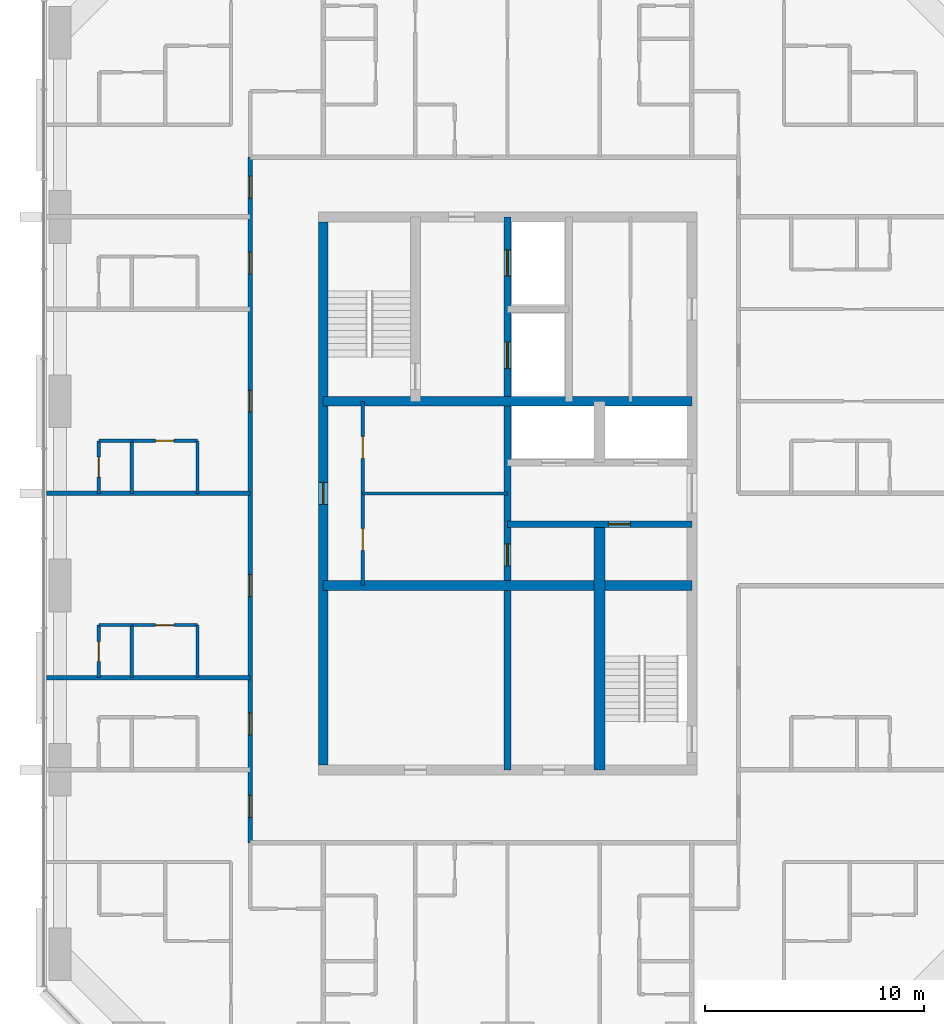
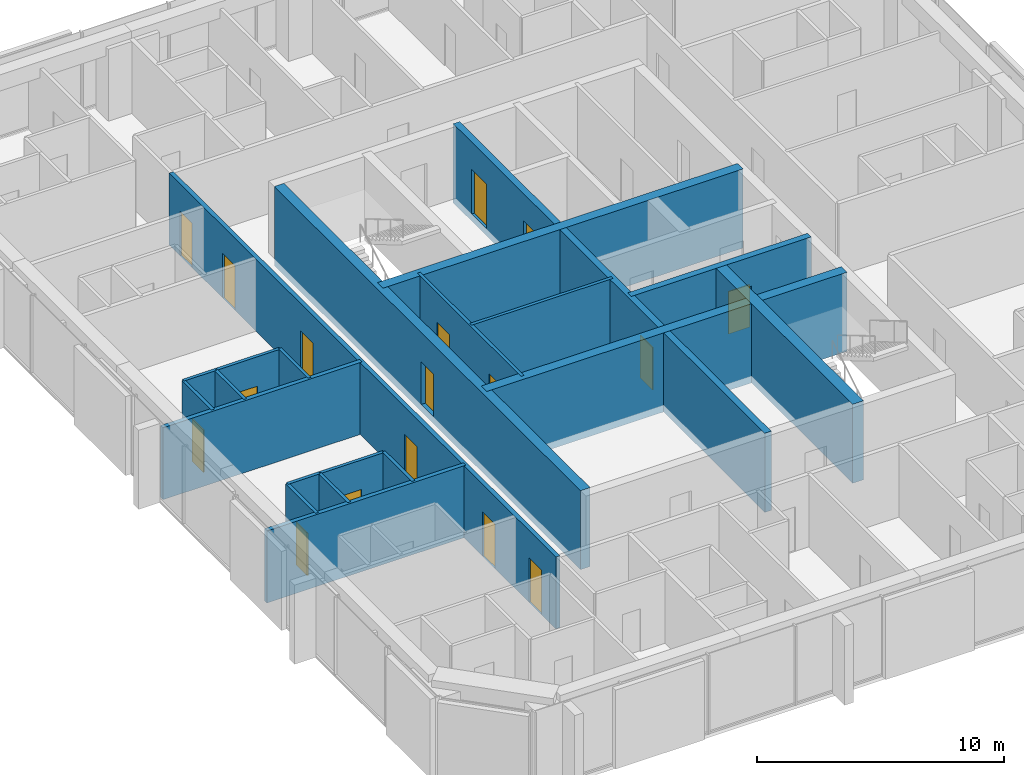
# One storey, part 8 of 13: 21 walls, 17 doors, 17 openings.
"""IFC4 building model written with IfcOpenShell, lengths in metres."""

from ifc_helpers import new_model, si_unit, direction, frame, frame_2d, origin, place, context, subcontext, project, spatial, rectangle, extrude, material, layer, layer_set, type_object, element, fill, save


model = new_model("IFC4")

# Units and contexts
model_context = context("Model", 3, precision=1e-05, world=origin(), true_north=direction((0.0, 1.0)))
body_context = subcontext(model_context, "Body", "Model", "MODEL_VIEW")
ifc_project = project(units=[si_unit("LENGTHUNIT", "METRE"), si_unit("AREAUNIT", "SQUARE_METRE"), si_unit("VOLUMEUNIT", "CUBIC_METRE"), si_unit("PLANEANGLEUNIT", "RADIAN"), si_unit("MASSUNIT", "GRAM", prefix="KILO")], contexts=[model_context])

# Site, building, storey
site_placement = place(None, origin())
site = spatial("IfcSite", under=ifc_project, at=site_placement, CompositionType="ELEMENT")
building_placement = place(site_placement, origin())
building = spatial("IfcBuilding", under=site, at=building_placement, Name="Dunama Terrace Hotel", CompositionType="ELEMENT")
storey_placement = place(building_placement, frame((0.0, 0.0, 280.199951171875)))
storey = spatial("IfcBuildingStorey", under=building, at=storey_placement, Name="L72", CompositionType="ELEMENT", Elevation=280.199951171875)

# Walls
ifc_material_1 = material(Name="Gypsum board partition", Category="masonry")
ifc_layer_1 = layer(ifc_material_1, 0.14990234375)
ifc_layer_set_1 = layer_set([ifc_layer_1], Name="Bathroom partition 150")
wall_type_1 = type_object("IfcWallType", Name="Bathroom partition 150", PredefinedType="PARTITIONING", material=ifc_layer_set_1)
wall_1_placement = place(storey_placement, frame((19.47509765625, 21.0, 0.0), z_axis=(0.0, 0.0, 1.0), x_axis=(0.0, 1.0, 0.0)))
element("IfcWall", 1, at=wall_1_placement, inside=storey, type_object=wall_type_1, Name="Bathroom partition 150 L72", PredefinedType="PARTITIONING", context=body_context, shape_type="SweptSolid", body=[
    extrude(rectangle(XDim=2.39990234375, YDim=0.14990234375, at=frame_2d((1.199951171875, 0.0))), origin(), (0.0, 0.0, 1.0), 3.550048828125),
])
wall_2_placement = place(storey_placement, frame((19.47509765625, 29.39990234375, 0.0), z_axis=(0.0, 0.0, 1.0), x_axis=(0.0, 1.0, 0.0)))
element("IfcWall", 2, at=wall_2_placement, inside=storey, type_object=wall_type_1, Name="Bathroom partition 150 L72", PredefinedType="PARTITIONING", context=body_context, shape_type="SweptSolid", body=[
    extrude(rectangle(XDim=2.400146484375, YDim=0.14990234375, at=frame_2d((1.2001953125, 0.0))), origin(), (0.0, 0.0, 1.0), 3.550048828125),
])

# Wall, opening, door
wall_3_placement = place(storey_placement, frame((16.47509765625, 23.39990234375, 0.0), z_axis=(0.0, 0.0, 1.0), x_axis=(1.0, 0.0, 0.0)))
wall_3 = element("IfcWall", 3, at=wall_3_placement, inside=storey, type_object=wall_type_1, Name="Bathroom partition 150 L72", PredefinedType="PARTITIONING", context=body_context, shape_type="SweptSolid", body=[
    extrude(rectangle(XDim=3.0, YDim=0.14990234375, at=frame_2d((1.5, 0.0))), origin(), (0.0, 0.0, 1.0), 3.550048828125),
])
opening_1_placement = place(wall_3_placement, frame((1.074951171875, 0.0, 0.0)))
opening_1 = element("IfcOpeningElement", 4, at=opening_1_placement, cuts=wall_3, Name="Opening L71-72-039", PredefinedType="OPENING", context=body_context, shape_type="SweptSolid", body=[
    extrude(rectangle(XDim=0.85009765625, YDim=2.10009765625, at=frame_2d((0.425048828125, 1.050048828125))), frame((0.0, 0.0849609375, 0.0), z_axis=(0.0, -1.0, 0.0), x_axis=(1.0, 0.0, 0.0)), (0.0, 0.0, 1.0), 0.169921875),
])
ifc_material_2 = material(Name="Timber door with steel frame", Category="steel")
door_type_1 = type_object("IfcDoorType", Name="Bathroom door 850", OperationType="SINGLE_SWING_LEFT", PredefinedType="DOOR", material=ifc_material_2)
door_1_placement = place(opening_1_placement, frame((0.85009765625, 0.0, 0.0), z_axis=(0.0, 0.0, 1.0), x_axis=(-1.0, 0.0, 0.0)))
door_1 = element("IfcDoor", 5, at=door_1_placement, inside=storey, type_object=door_type_1, Name="Door to en-suite bathroom L71-72-039, type D2", OperationType="SINGLE_SWING_RIGHT", OverallHeight=2.10009765625, OverallWidth=0.85009765625, PredefinedType="DOOR", context=body_context, shape_type="SweptSolid", body=[
    extrude(rectangle(XDim=0.85009765625, YDim=2.10009765625, at=frame_2d((0.425048828125, 1.050048828125))), frame((0.0, 0.025146484375, 0.0), z_axis=(0.0, -1.0, 0.0), x_axis=(1.0, 0.0, 0.0)), (0.0, 0.0, 1.0), 0.050048828125),
])
fill(opening_1, door_1)

wall_4_placement = place(storey_placement, frame((16.47509765625, 31.800048828125, 0.0), z_axis=(0.0, 0.0, 1.0), x_axis=(1.0, 0.0, 0.0)))
wall_4 = element("IfcWall", 6, at=wall_4_placement, inside=storey, type_object=wall_type_1, Name="Bathroom partition 150 L72", PredefinedType="PARTITIONING", context=body_context, shape_type="SweptSolid", body=[
    extrude(rectangle(XDim=3.0, YDim=0.14990234375, at=frame_2d((1.5, 0.0))), origin(), (0.0, 0.0, 1.0), 3.550048828125),
])
opening_2_placement = place(wall_4_placement, frame((1.074951171875, 0.0, 0.0)))
opening_2 = element("IfcOpeningElement", 7, at=opening_2_placement, cuts=wall_4, Name="Opening L71-72-042", PredefinedType="OPENING", context=body_context, shape_type="SweptSolid", body=[
    extrude(rectangle(XDim=0.85009765625, YDim=2.10009765625, at=frame_2d((0.425048828125, 1.050048828125))), frame((0.0, 0.0849609375, 0.0), z_axis=(0.0, -1.0, 0.0), x_axis=(1.0, 0.0, 0.0)), (0.0, 0.0, 1.0), 0.169921875),
])
door_2_placement = place(opening_2_placement, frame((0.85009765625, 0.0, 0.0), z_axis=(0.0, 0.0, 1.0), x_axis=(-1.0, 0.0, 0.0)))
door_2 = element("IfcDoor", 8, at=door_2_placement, inside=storey, type_object=door_type_1, Name="Door to en-suite bathroom L71-72-042, type D2", OperationType="SINGLE_SWING_RIGHT", OverallHeight=2.10009765625, OverallWidth=0.85009765625, PredefinedType="DOOR", context=body_context, shape_type="SweptSolid", body=[
    extrude(rectangle(XDim=0.85009765625, YDim=2.10009765625, at=frame_2d((0.425048828125, 1.050048828125))), frame((0.0, 0.025146484375, 0.0), z_axis=(0.0, -1.0, 0.0), x_axis=(1.0, 0.0, 0.0)), (0.0, 0.0, 1.0), 0.050048828125),
])
fill(opening_2, door_2)

# Wall, openings, doors
ifc_material_3 = material(Name="Concrete C50/60", Category="concrete")
ifc_layer_2 = layer(ifc_material_3, 0.300048828125)
ifc_layer_set_2 = layer_set([ifc_layer_2], Name="Core inner wall 300")
wall_type_2 = type_object("IfcWallType", Name="Core inner wall 300", PredefinedType="SHEAR", material=ifc_layer_set_2)
wall_5_placement = place(storey_placement, frame((33.60009765625, 16.800048828125, -0.349853515625), z_axis=(0.0, 0.0, 1.0), x_axis=(0.0, 1.0, 0.0)))
wall_5 = element("IfcWall", 9, at=wall_5_placement, inside=storey, type_object=wall_type_2, Name="Core inner wall 300 L72", PredefinedType="SHEAR", context=body_context, shape_type="SweptSolid", body=[
    extrude(rectangle(XDim=25.199951171875, YDim=0.300048828125, at=frame_2d((12.60009765625, 0.0))), origin(), (0.0, 0.0, 1.0), 3.89990234375),
])
opening_3_placement = place(wall_5_placement, frame((22.5, 0.0, 0.35009765625)))
opening_3 = element("IfcOpeningElement", 10, at=opening_3_placement, cuts=wall_5, Name="Opening L71-72-005", PredefinedType="OPENING", context=body_context, shape_type="SweptSolid", body=[
    extrude(rectangle(XDim=1.199951171875, YDim=2.199951171875, at=frame_2d((0.60009765625, 1.10009765625))), frame((0.0, 0.159912109375, 0.0), z_axis=(0.0, -1.0, 0.0), x_axis=(1.0, 0.0, 0.0)), (0.0, 0.0, 1.0), 0.320068359375),
])
opening_4_placement = place(wall_5_placement, frame((18.300048828125, 0.0, 0.35009765625)))
opening_4 = element("IfcOpeningElement", 11, at=opening_4_placement, cuts=wall_5, Name="Opening L71-72-006", PredefinedType="OPENING", context=body_context, shape_type="SweptSolid", body=[
    extrude(rectangle(XDim=1.199951171875, YDim=2.199951171875, at=frame_2d((0.60009765625, 1.10009765625))), frame((0.0, 0.159912109375, 0.0), z_axis=(0.0, -1.0, 0.0), x_axis=(1.0, 0.0, 0.0)), (0.0, 0.0, 1.0), 0.320068359375),
])
opening_5_placement = place(wall_5_placement, frame((9.300048828125, 0.0, 0.35009765625)))
opening_5 = element("IfcOpeningElement", 12, at=opening_5_placement, cuts=wall_5, Name="Opening L71-72-070", PredefinedType="OPENING", context=body_context, shape_type="SweptSolid", body=[
    extrude(rectangle(XDim=1.0, YDim=2.10009765625, at=frame_2d((0.5, 1.050048828125))), frame((0.0, 0.159912109375, 0.0), z_axis=(0.0, -1.0, 0.0), x_axis=(1.0, 0.0, 0.0)), (0.0, 0.0, 1.0), 0.320068359375),
])
ifc_material_4 = material(Name="Stainless steel lift door", Category="steel")
door_type_2 = type_object("IfcDoorType", Name="Firefighting lift landing door 1200", OperationType="DOUBLE_DOOR_SLIDING", PredefinedType="DOOR", material=ifc_material_4)
door_3_placement = place(opening_3_placement, origin())
door_3 = element("IfcDoor", 13, at=door_3_placement, inside=storey, type_object=door_type_2, Name="Landing door FL1 L71-72-005, type LD2", OperationType="DOUBLE_DOOR_SLIDING", OverallHeight=2.199951171875, OverallWidth=1.199951171875, PredefinedType="DOOR", context=body_context, shape_type="SweptSolid", body=[
    extrude(rectangle(XDim=1.199951171875, YDim=2.199951171875, at=frame_2d((0.60009765625, 1.10009765625))), frame((0.0, 0.02490234375, 0.0), z_axis=(0.0, -1.0, 0.0), x_axis=(1.0, 0.0, 0.0)), (0.0, 0.0, 1.0), 0.050048828125),
])
fill(opening_3, door_3)
door_4_placement = place(opening_4_placement, origin())
door_4 = element("IfcDoor", 14, at=door_4_placement, inside=storey, type_object=door_type_2, Name="Landing door FL2 L71-72-006, type LD2", OperationType="DOUBLE_DOOR_SLIDING", OverallHeight=2.199951171875, OverallWidth=1.199951171875, PredefinedType="DOOR", context=body_context, shape_type="SweptSolid", body=[
    extrude(rectangle(XDim=1.199951171875, YDim=2.199951171875, at=frame_2d((0.60009765625, 1.10009765625))), frame((0.0, 0.02490234375, 0.0), z_axis=(0.0, -1.0, 0.0), x_axis=(1.0, 0.0, 0.0)), (0.0, 0.0, 1.0), 0.050048828125),
])
fill(opening_4, door_4)
ifc_material_5 = material(Name="Timber door with steel frame", Category="steel")
door_type_3 = type_object("IfcDoorType", Name="Service door 1000", OperationType="SINGLE_SWING_LEFT", PredefinedType="DOOR", material=ifc_material_5)
door_5_placement = place(opening_5_placement, frame((1.0, 0.0, 0.0), z_axis=(0.0, 0.0, 1.0), x_axis=(-1.0, 0.0, 0.0)))
door_5 = element("IfcDoor", 15, at=door_5_placement, inside=storey, type_object=door_type_3, Name="Door to service riser L71-72-070, type D7", OperationType="SINGLE_SWING_RIGHT", OverallHeight=2.10009765625, OverallWidth=1.0, PredefinedType="DOOR", context=body_context, shape_type="SweptSolid", body=[
    extrude(rectangle(XDim=1.0, YDim=2.10009765625, at=frame_2d((0.5, 1.050048828125))), frame((0.0, 0.025146484375, 0.0), z_axis=(0.0, -1.0, 0.0), x_axis=(1.0, 0.0, 0.0)), (0.0, 0.0, 1.0), 0.050048828125),
])
fill(opening_5, door_5)

# Wall, opening, door
wall_6_placement = place(storey_placement, frame((33.60009765625, 28.0, -0.349853515625), z_axis=(0.0, 0.0, 1.0), x_axis=(1.0, 0.0, 0.0)))
wall_6 = element("IfcWall", 16, at=wall_6_placement, inside=storey, type_object=wall_type_2, Name="Core inner wall 300 L72", PredefinedType="SHEAR", context=body_context, shape_type="SweptSolid", body=[
    extrude(rectangle(XDim=8.39990234375, YDim=0.300048828125, at=frame_2d((4.199951171875, 0.0))), origin(), (0.0, 0.0, 1.0), 3.89990234375),
])
opening_6_placement = place(wall_6_placement, frame((4.60009765625, 0.0, 0.35009765625)))
opening_6 = element("IfcOpeningElement", 17, at=opening_6_placement, cuts=wall_6, Name="Opening L71-72-071", PredefinedType="OPENING", context=body_context, shape_type="SweptSolid", body=[
    extrude(rectangle(XDim=1.0, YDim=2.10009765625, at=frame_2d((0.5, 1.050048828125))), frame((0.0, 0.159912109375, 0.0), z_axis=(0.0, -1.0, 0.0), x_axis=(1.0, 0.0, 0.0)), (0.0, 0.0, 1.0), 0.320068359375),
])
door_6_placement = place(opening_6_placement, frame((1.0, 0.0, 0.0), z_axis=(0.0, 0.0, 1.0), x_axis=(-1.0, 0.0, 0.0)))
door_6 = element("IfcDoor", 18, at=door_6_placement, inside=storey, type_object=door_type_3, Name="Door to ice and vending room L71-72-071, type D7", OperationType="SINGLE_SWING_RIGHT", OverallHeight=2.10009765625, OverallWidth=1.0, PredefinedType="DOOR", context=body_context, shape_type="SweptSolid", body=[
    extrude(rectangle(XDim=1.0, YDim=2.10009765625, at=frame_2d((0.5, 1.050048828125))), frame((0.0, 0.025146484375, 0.0), z_axis=(0.0, -1.0, 0.0), x_axis=(1.0, 0.0, 0.0)), (0.0, 0.0, 1.0), 0.050048828125),
])
fill(opening_6, door_6)

# Walls
ifc_material_6 = material(Name="Concrete C50/60", Category="concrete")
ifc_layer_3 = layer(ifc_material_6, 0.449951171875)
ifc_layer_set_3 = layer_set([ifc_layer_3], Name="Core inner wall 450")
wall_type_3 = type_object("IfcWallType", Name="Core inner wall 450", PredefinedType="SHEAR", material=ifc_layer_set_3)
for number, where, z_axis, x_axis, name in (
    (19, (25.199951171875, 25.199951171875, -0.349853515625), (0.0, 0.0, 1.0), (1.0, 0.0, 0.0), "Core inner wall 450 L72"),
    (20, (25.199951171875, 33.60009765625, -0.349853515625), (0.0, 0.0, 1.0), (1.0, 0.0, 0.0), "Core inner wall 450 L72"),
):
    element("IfcWall", number, at=place(storey_placement, frame(where, z_axis=z_axis, x_axis=x_axis)), inside=storey, type_object=wall_type_3, Name=name, PredefinedType="SHEAR", context=body_context, shape_type="SweptSolid", body=[
        extrude(rectangle(XDim=16.800048828125, YDim=0.449951171875, at=frame_2d((8.39990234375, 0.0))), origin(), (0.0, 0.0, 1.0), 3.89990234375),
    ])
ifc_material_7 = material(Name="Concrete C50/60", Category="concrete")
ifc_layer_4 = layer(ifc_material_7, 0.5)
ifc_layer_set_4 = layer_set([ifc_layer_4], Name="Core inner wall 500")
wall_type_4 = type_object("IfcWallType", Name="Core inner wall 500", PredefinedType="SHEAR", material=ifc_layer_set_4)
wall_7_placement = place(storey_placement, frame((37.800048828125, 16.800048828125, -0.349853515625), z_axis=(0.0, 0.0, 1.0), x_axis=(0.0, 1.0, 0.0)))
element("IfcWall", 21, at=wall_7_placement, inside=storey, type_object=wall_type_4, Name="Core inner wall 500 L72", PredefinedType="SHEAR", context=body_context, shape_type="SweptSolid", body=[
    extrude(rectangle(XDim=11.199951171875, YDim=0.5, at=frame_2d((5.60009765625, 0.0))), origin(), (0.0, 0.0, 1.0), 3.89990234375),
])

# Wall, opening, door
ifc_material_8 = material(Name="Concrete C50/60", Category="concrete")
ifc_layer_5 = layer(ifc_material_8, 0.449951171875)
ifc_layer_set_5 = layer_set([ifc_layer_5], Name="Core wall 450")
wall_type_5 = type_object("IfcWallType", Name="Core wall 450", PredefinedType="SHEAR", material=ifc_layer_set_5)
wall_8_placement = place(storey_placement, frame((25.199951171875, 41.77490234375, -0.349853515625), z_axis=(0.0, 0.0, 1.0), x_axis=(0.0, -1.0, 0.0)))
wall_8 = element("IfcWall", 22, at=wall_8_placement, inside=storey, type_object=wall_type_5, Name="Core wall west L72", PredefinedType="SHEAR", context=body_context, shape_type="SweptSolid", body=[
    extrude(rectangle(XDim=24.75, YDim=0.449951171875, at=frame_2d((12.375, 0.0))), origin(), (0.0, 0.0, 1.0), 3.89990234375),
])
opening_7_placement = place(wall_8_placement, frame((11.875, 0.0, 0.35009765625)))
opening_7 = element("IfcOpeningElement", 23, at=opening_7_placement, cuts=wall_8, Name="Opening L71-72-067", PredefinedType="OPENING", context=body_context, shape_type="SweptSolid", body=[
    extrude(rectangle(XDim=1.0, YDim=2.10009765625, at=frame_2d((0.5, 1.050048828125))), frame((0.0, 0.23486328125, 0.0), z_axis=(0.0, -1.0, 0.0), x_axis=(1.0, 0.0, 0.0)), (0.0, 0.0, 1.0), 0.469970703125),
])
door_7_placement = place(opening_7_placement, origin())
door_7 = element("IfcDoor", 24, at=door_7_placement, inside=storey, type_object=door_type_3, Name="Door to staff passage L71-72-067, type D7", OperationType="SINGLE_SWING_LEFT", OverallHeight=2.10009765625, OverallWidth=1.0, PredefinedType="DOOR", context=body_context, shape_type="SweptSolid", body=[
    extrude(rectangle(XDim=1.0, YDim=2.10009765625, at=frame_2d((0.5, 1.050048828125))), frame((0.0, 0.02490234375, 0.0), z_axis=(0.0, -1.0, 0.0), x_axis=(1.0, 0.0, 0.0)), (0.0, 0.0, 1.0), 0.050048828125),
])
fill(opening_7, door_7)

# Wall, openings, doors
ifc_material_9 = material(Name="Concrete blockwork", Category="masonry")
ifc_layer_6 = layer(ifc_material_9, 0.199951171875)
ifc_layer_set_6 = layer_set([ifc_layer_6], Name="Corridor partition 200")
wall_type_6 = type_object("IfcWallType", Name="Corridor partition 200", PredefinedType="PARTITIONING", material=ifc_layer_set_6)
wall_9_placement = place(storey_placement, frame((21.875, 13.47509765625, 0.0), z_axis=(0.0, 0.0, 1.0), x_axis=(0.0, 1.0, 0.0)))
wall_9 = element("IfcWall", 25, at=wall_9_placement, inside=storey, type_object=wall_type_6, Name="Corridor partition 200 L72", PredefinedType="PARTITIONING", context=body_context, shape_type="SweptSolid", body=[
    extrude(rectangle(XDim=31.25, YDim=0.199951171875, at=frame_2d((15.625, 0.0))), origin(), (0.0, 0.0, 1.0), 3.550048828125),
])
opening_8_placement = place(wall_9_placement, frame((4.925048828125, 0.0, 0.0)))
opening_8 = element("IfcOpeningElement", 26, at=opening_8_placement, cuts=wall_9, Name="Opening L71-72-035", PredefinedType="OPENING", context=body_context, shape_type="SweptSolid", body=[
    extrude(rectangle(XDim=1.0, YDim=2.199951171875, at=frame_2d((0.5, 1.10009765625))), frame((0.0, 0.10986328125, 0.0), z_axis=(0.0, -1.0, 0.0), x_axis=(1.0, 0.0, 0.0)), (0.0, 0.0, 1.0), 0.219970703125),
])
opening_9_placement = place(wall_9_placement, frame((11.22509765625, 0.0, 0.0)))
opening_9 = element("IfcOpeningElement", 27, at=opening_9_placement, cuts=wall_9, Name="Opening L71-72-038", PredefinedType="OPENING", context=body_context, shape_type="SweptSolid", body=[
    extrude(rectangle(XDim=1.0, YDim=2.199951171875, at=frame_2d((0.5, 1.10009765625))), frame((0.0, 0.10986328125, 0.0), z_axis=(0.0, -1.0, 0.0), x_axis=(1.0, 0.0, 0.0)), (0.0, 0.0, 1.0), 0.219970703125),
])
opening_10_placement = place(wall_9_placement, frame((19.625, 0.0, 0.0)))
opening_10 = element("IfcOpeningElement", 28, at=opening_10_placement, cuts=wall_9, Name="Opening L71-72-041", PredefinedType="OPENING", context=body_context, shape_type="SweptSolid", body=[
    extrude(rectangle(XDim=1.0, YDim=2.199951171875, at=frame_2d((0.5, 1.10009765625))), frame((0.0, 0.10986328125, 0.0), z_axis=(0.0, -1.0, 0.0), x_axis=(1.0, 0.0, 0.0)), (0.0, 0.0, 1.0), 0.219970703125),
])
opening_11_placement = place(wall_9_placement, frame((25.925048828125, 0.0, 0.0)))
opening_11 = element("IfcOpeningElement", 29, at=opening_11_placement, cuts=wall_9, Name="Opening L71-72-044", PredefinedType="OPENING", context=body_context, shape_type="SweptSolid", body=[
    extrude(rectangle(XDim=1.0, YDim=2.199951171875, at=frame_2d((0.5, 1.10009765625))), frame((0.0, 0.10986328125, 0.0), z_axis=(0.0, -1.0, 0.0), x_axis=(1.0, 0.0, 0.0)), (0.0, 0.0, 1.0), 0.219970703125),
])
opening_12_placement = place(wall_9_placement, frame((1.162109375, 0.0, 0.0)))
opening_12 = element("IfcOpeningElement", 30, at=opening_12_placement, cuts=wall_9, Name="Opening L71-72-047", PredefinedType="OPENING", context=body_context, shape_type="SweptSolid", body=[
    extrude(rectangle(XDim=1.0, YDim=2.199951171875, at=frame_2d((0.5, 1.10009765625))), frame((0.0, 0.10986328125, 0.0), z_axis=(0.0, -1.0, 0.0), x_axis=(1.0, 0.0, 0.0)), (0.0, 0.0, 1.0), 0.219970703125),
])
opening_13_placement = place(wall_9_placement, frame((29.386962890625, 0.0, 0.0)))
opening_13 = element("IfcOpeningElement", 31, at=opening_13_placement, cuts=wall_9, Name="Opening L71-72-062", PredefinedType="OPENING", context=body_context, shape_type="SweptSolid", body=[
    extrude(rectangle(XDim=1.0, YDim=2.199951171875, at=frame_2d((0.5, 1.10009765625))), frame((0.0, 0.10986328125, 0.0), z_axis=(0.0, -1.0, 0.0), x_axis=(1.0, 0.0, 0.0)), (0.0, 0.0, 1.0), 0.219970703125),
])
ifc_material_10 = material(Name="Timber door with steel frame", Category="steel")
door_type_4 = type_object("IfcDoorType", Name="Guest room door 1000", OperationType="SINGLE_SWING_LEFT", PredefinedType="DOOR", material=ifc_material_10)
door_8_placement = place(opening_8_placement, origin())
door_8 = element("IfcDoor", 32, at=door_8_placement, inside=storey, type_object=door_type_4, Name="Door to studio suite L71-72-035, type D1", OperationType="SINGLE_SWING_LEFT", OverallHeight=2.199951171875, OverallWidth=1.0, PredefinedType="DOOR", context=body_context, shape_type="SweptSolid", body=[
    extrude(rectangle(XDim=1.0, YDim=2.199951171875, at=frame_2d((0.5, 1.10009765625))), frame((0.0, 0.02490234375, 0.0), z_axis=(0.0, -1.0, 0.0), x_axis=(1.0, 0.0, 0.0)), (0.0, 0.0, 1.0), 0.050048828125),
])
fill(opening_8, door_8)
door_9_placement = place(opening_9_placement, origin())
door_9 = element("IfcDoor", 33, at=door_9_placement, inside=storey, type_object=door_type_4, Name="Door to junior suite L71-72-038, type D1", OperationType="SINGLE_SWING_LEFT", OverallHeight=2.199951171875, OverallWidth=1.0, PredefinedType="DOOR", context=body_context, shape_type="SweptSolid", body=[
    extrude(rectangle(XDim=1.0, YDim=2.199951171875, at=frame_2d((0.5, 1.10009765625))), frame((0.0, 0.02490234375, 0.0), z_axis=(0.0, -1.0, 0.0), x_axis=(1.0, 0.0, 0.0)), (0.0, 0.0, 1.0), 0.050048828125),
])
fill(opening_9, door_9)
door_10_placement = place(opening_10_placement, origin())
door_10 = element("IfcDoor", 34, at=door_10_placement, inside=storey, type_object=door_type_4, Name="Door to junior suite L71-72-041, type D1", OperationType="SINGLE_SWING_LEFT", OverallHeight=2.199951171875, OverallWidth=1.0, PredefinedType="DOOR", context=body_context, shape_type="SweptSolid", body=[
    extrude(rectangle(XDim=1.0, YDim=2.199951171875, at=frame_2d((0.5, 1.10009765625))), frame((0.0, 0.02490234375, 0.0), z_axis=(0.0, -1.0, 0.0), x_axis=(1.0, 0.0, 0.0)), (0.0, 0.0, 1.0), 0.050048828125),
])
fill(opening_10, door_10)
door_11_placement = place(opening_11_placement, origin())
door_11 = element("IfcDoor", 35, at=door_11_placement, inside=storey, type_object=door_type_4, Name="Door to studio suite L71-72-044, type D1", OperationType="SINGLE_SWING_LEFT", OverallHeight=2.199951171875, OverallWidth=1.0, PredefinedType="DOOR", context=body_context, shape_type="SweptSolid", body=[
    extrude(rectangle(XDim=1.0, YDim=2.199951171875, at=frame_2d((0.5, 1.10009765625))), frame((0.0, 0.02490234375, 0.0), z_axis=(0.0, -1.0, 0.0), x_axis=(1.0, 0.0, 0.0)), (0.0, 0.0, 1.0), 0.050048828125),
])
fill(opening_11, door_11)
door_12_placement = place(opening_12_placement, origin())
door_12 = element("IfcDoor", 36, at=door_12_placement, inside=storey, type_object=door_type_4, Name="Door to grand corner suite living room L71-72-047, type D1", OperationType="SINGLE_SWING_LEFT", OverallHeight=2.199951171875, OverallWidth=1.0, PredefinedType="DOOR", context=body_context, shape_type="SweptSolid", body=[
    extrude(rectangle(XDim=1.0, YDim=2.199951171875, at=frame_2d((0.5, 1.10009765625))), frame((0.0, 0.02490234375, 0.0), z_axis=(0.0, -1.0, 0.0), x_axis=(1.0, 0.0, 0.0)), (0.0, 0.0, 1.0), 0.050048828125),
])
fill(opening_12, door_12)
door_13_placement = place(opening_13_placement, origin())
door_13 = element("IfcDoor", 37, at=door_13_placement, inside=storey, type_object=door_type_4, Name="Door to grand corner suite living room L71-72-062, type D1", OperationType="SINGLE_SWING_LEFT", OverallHeight=2.199951171875, OverallWidth=1.0, PredefinedType="DOOR", context=body_context, shape_type="SweptSolid", body=[
    extrude(rectangle(XDim=1.0, YDim=2.199951171875, at=frame_2d((0.5, 1.10009765625))), frame((0.0, 0.02490234375, 0.0), z_axis=(0.0, -1.0, 0.0), x_axis=(1.0, 0.0, 0.0)), (0.0, 0.0, 1.0), 0.050048828125),
])
fill(opening_13, door_13)

# Walls
ifc_material_11 = material(Name="Concrete blockwork", Category="masonry")
ifc_layer_7 = layer(ifc_material_11, 0.199951171875)
ifc_layer_set_7 = layer_set([ifc_layer_7], Name="Party wall 200")
wall_type_7 = type_object("IfcWallType", Name="Party wall 200", PredefinedType="PARTITIONING", material=ifc_layer_set_7)
for number, where, z_axis, x_axis, name in (
    (38, (12.58203125, 21.0, 0.0), (0.0, 0.0, 1.0), (1.0, 0.0, 0.0), "Party wall 200 L72"),
    (39, (12.58203125, 29.39990234375, 0.0), (0.0, 0.0, 1.0), (1.0, 0.0, 0.0), "Party wall 200 L72"),
):
    element("IfcWall", number, at=place(storey_placement, frame(where, z_axis=z_axis, x_axis=x_axis)), inside=storey, type_object=wall_type_7, Name=name, PredefinedType="PARTITIONING", context=body_context, shape_type="SweptSolid", body=[
        extrude(rectangle(XDim=9.29296875, YDim=0.199951171875, at=frame_2d((4.646484375, 0.0))), origin(), (0.0, 0.0, 1.0), 3.550048828125),
    ])

# Wall, opening, door
ifc_material_12 = material(Name="Gypsum board partition", Category="masonry")
ifc_layer_8 = layer(ifc_material_12, 0.14990234375)
ifc_layer_set_8 = layer_set([ifc_layer_8], Name="Room partition 150")
wall_type_8 = type_object("IfcWallType", Name="Room partition 150", PredefinedType="PARTITIONING", material=ifc_layer_set_8)
wall_10_placement = place(storey_placement, frame((14.97509765625, 21.0, 0.0), z_axis=(0.0, 0.0, 1.0), x_axis=(0.0, 1.0, 0.0)))
wall_10 = element("IfcWall", 40, at=wall_10_placement, inside=storey, type_object=wall_type_8, Name="Room partition 150 L72", PredefinedType="PARTITIONING", context=body_context, shape_type="SweptSolid", body=[
    extrude(rectangle(XDim=2.39990234375, YDim=0.14990234375, at=frame_2d((1.199951171875, 0.0))), origin(), (0.0, 0.0, 1.0), 3.550048828125),
])
opening_14_placement = place(wall_10_placement, frame((0.75, 0.0, 0.0)))
opening_14 = element("IfcOpeningElement", 41, at=opening_14_placement, cuts=wall_10, Name="Opening L71-72-040", PredefinedType="OPENING", context=body_context, shape_type="SweptSolid", body=[
    extrude(rectangle(XDim=0.89990234375, YDim=2.10009765625, at=frame_2d((0.449951171875, 1.050048828125))), frame((0.0, 0.0849609375, 0.0), z_axis=(0.0, -1.0, 0.0), x_axis=(1.0, 0.0, 0.0)), (0.0, 0.0, 1.0), 0.169921875),
])
ifc_material_13 = material(Name="Timber door with steel frame", Category="steel")
door_type_5 = type_object("IfcDoorType", Name="Suite internal door 900", OperationType="SINGLE_SWING_LEFT", PredefinedType="DOOR", material=ifc_material_13)
door_14_placement = place(opening_14_placement, frame((0.89990234375, 0.0, 0.0), z_axis=(0.0, 0.0, 1.0), x_axis=(-1.0, 0.0, 0.0)))
door_14 = element("IfcDoor", 42, at=door_14_placement, inside=storey, type_object=door_type_5, Name="Door to walk-in wardrobe L71-72-040, type D16", OperationType="SINGLE_SWING_RIGHT", OverallHeight=2.10009765625, OverallWidth=0.89990234375, PredefinedType="DOOR", context=body_context, shape_type="SweptSolid", body=[
    extrude(rectangle(XDim=0.89990234375, YDim=2.10009765625, at=frame_2d((0.449951171875, 1.050048828125))), frame((0.0, 0.025146484375, 0.0), z_axis=(0.0, -1.0, 0.0), x_axis=(1.0, 0.0, 0.0)), (0.0, 0.0, 1.0), 0.050048828125),
])
fill(opening_14, door_14)

wall_11_placement = place(storey_placement, frame((14.97509765625, 29.39990234375, 0.0), z_axis=(0.0, 0.0, 1.0), x_axis=(0.0, 1.0, 0.0)))
wall_11 = element("IfcWall", 43, at=wall_11_placement, inside=storey, type_object=wall_type_8, Name="Room partition 150 L72", PredefinedType="PARTITIONING", context=body_context, shape_type="SweptSolid", body=[
    extrude(rectangle(XDim=2.400146484375, YDim=0.14990234375, at=frame_2d((1.2001953125, 0.0))), origin(), (0.0, 0.0, 1.0), 3.550048828125),
])
opening_15_placement = place(wall_11_placement, frame((0.75, 0.0, 0.0)))
opening_15 = element("IfcOpeningElement", 44, at=opening_15_placement, cuts=wall_11, Name="Opening L71-72-043", PredefinedType="OPENING", context=body_context, shape_type="SweptSolid", body=[
    extrude(rectangle(XDim=0.89990234375, YDim=2.10009765625, at=frame_2d((0.449951171875, 1.050048828125))), frame((0.0, 0.0849609375, 0.0), z_axis=(0.0, -1.0, 0.0), x_axis=(1.0, 0.0, 0.0)), (0.0, 0.0, 1.0), 0.169921875),
])
door_15_placement = place(opening_15_placement, frame((0.89990234375, 0.0, 0.0), z_axis=(0.0, 0.0, 1.0), x_axis=(-1.0, 0.0, 0.0)))
door_15 = element("IfcDoor", 45, at=door_15_placement, inside=storey, type_object=door_type_5, Name="Door to walk-in wardrobe L71-72-043, type D16", OperationType="SINGLE_SWING_RIGHT", OverallHeight=2.10009765625, OverallWidth=0.89990234375, PredefinedType="DOOR", context=body_context, shape_type="SweptSolid", body=[
    extrude(rectangle(XDim=0.89990234375, YDim=2.10009765625, at=frame_2d((0.449951171875, 1.050048828125))), frame((0.0, 0.025146484375, 0.0), z_axis=(0.0, -1.0, 0.0), x_axis=(1.0, 0.0, 0.0)), (0.0, 0.0, 1.0), 0.050048828125),
])
fill(opening_15, door_15)

# Walls
wall_12_placement = place(storey_placement, frame((16.47509765625, 21.0, 0.0), z_axis=(0.0, 0.0, 1.0), x_axis=(0.0, 1.0, 0.0)))
element("IfcWall", 46, at=wall_12_placement, inside=storey, type_object=wall_type_8, Name="Room partition 150 L72", PredefinedType="PARTITIONING", context=body_context, shape_type="SweptSolid", body=[
    extrude(rectangle(XDim=2.39990234375, YDim=0.14990234375, at=frame_2d((1.199951171875, 0.0))), origin(), (0.0, 0.0, 1.0), 3.550048828125),
])
wall_13_placement = place(storey_placement, frame((16.47509765625, 29.39990234375, 0.0), z_axis=(0.0, 0.0, 1.0), x_axis=(0.0, 1.0, 0.0)))
element("IfcWall", 47, at=wall_13_placement, inside=storey, type_object=wall_type_8, Name="Room partition 150 L72", PredefinedType="PARTITIONING", context=body_context, shape_type="SweptSolid", body=[
    extrude(rectangle(XDim=2.400146484375, YDim=0.14990234375, at=frame_2d((1.2001953125, 0.0))), origin(), (0.0, 0.0, 1.0), 3.550048828125),
])

# Wall, openings, doors
wall_14_placement = place(storey_placement, frame((27.0, 25.199951171875, 0.0), z_axis=(0.0, 0.0, 1.0), x_axis=(0.0, 1.0, 0.0)))
wall_14 = element("IfcWall", 48, at=wall_14_placement, inside=storey, type_object=wall_type_8, Name="Room partition 150 L72", PredefinedType="PARTITIONING", context=body_context, shape_type="SweptSolid", body=[
    extrude(rectangle(XDim=8.400146484375, YDim=0.14990234375, at=frame_2d((4.2001953125, 0.0))), origin(), (0.0, 0.0, 1.0), 3.550048828125),
])
opening_16_placement = place(wall_14_placement, frame((1.60009765625, 0.0, 0.0)))
opening_16 = element("IfcOpeningElement", 49, at=opening_16_placement, cuts=wall_14, Name="Opening L71-72-068", PredefinedType="OPENING", context=body_context, shape_type="SweptSolid", body=[
    extrude(rectangle(XDim=1.0, YDim=2.10009765625, at=frame_2d((0.5, 1.050048828125))), frame((0.0, 0.0849609375, 0.0), z_axis=(0.0, -1.0, 0.0), x_axis=(1.0, 0.0, 0.0)), (0.0, 0.0, 1.0), 0.169921875),
])
opening_17_placement = place(wall_14_placement, frame((5.800048828125, 0.0, 0.0)))
opening_17 = element("IfcOpeningElement", 50, at=opening_17_placement, cuts=wall_14, Name="Opening L71-72-069", PredefinedType="OPENING", context=body_context, shape_type="SweptSolid", body=[
    extrude(rectangle(XDim=1.0, YDim=2.10009765625, at=frame_2d((0.5, 1.050048828125))), frame((0.0, 0.0849609375, 0.0), z_axis=(0.0, -1.0, 0.0), x_axis=(1.0, 0.0, 0.0)), (0.0, 0.0, 1.0), 0.169921875),
])
door_16_placement = place(opening_16_placement, frame((1.0, 0.0, 0.0), z_axis=(0.0, 0.0, 1.0), x_axis=(-1.0, 0.0, 0.0)))
door_16 = element("IfcDoor", 51, at=door_16_placement, inside=storey, type_object=door_type_3, Name="Door to riser room L71-72-068, type D7", OperationType="SINGLE_SWING_RIGHT", OverallHeight=2.10009765625, OverallWidth=1.0, PredefinedType="DOOR", context=body_context, shape_type="SweptSolid", body=[
    extrude(rectangle(XDim=1.0, YDim=2.10009765625, at=frame_2d((0.5, 1.050048828125))), frame((0.0, 0.025146484375, 0.0), z_axis=(0.0, -1.0, 0.0), x_axis=(1.0, 0.0, 0.0)), (0.0, 0.0, 1.0), 0.050048828125),
])
fill(opening_16, door_16)
door_17_placement = place(opening_17_placement, frame((1.0, 0.0, 0.0), z_axis=(0.0, 0.0, 1.0), x_axis=(-1.0, 0.0, 0.0)))
door_17 = element("IfcDoor", 52, at=door_17_placement, inside=storey, type_object=door_type_3, Name="Door to staff break room L71-72-069, type D7", OperationType="SINGLE_SWING_LEFT", OverallHeight=2.10009765625, OverallWidth=1.0, PredefinedType="DOOR", context=body_context, shape_type="SweptSolid", body=[
    extrude(rectangle(XDim=1.0, YDim=2.10009765625, at=frame_2d((0.5, 1.050048828125))), frame((0.0, 0.025146484375, 0.0), z_axis=(0.0, -1.0, 0.0), x_axis=(1.0, 0.0, 0.0)), (0.0, 0.0, 1.0), 0.050048828125),
])
fill(opening_17, door_17)

# Walls
wall_15_placement = place(storey_placement, frame((14.97509765625, 23.39990234375, 0.0), z_axis=(0.0, 0.0, 1.0), x_axis=(1.0, 0.0, 0.0)))
element("IfcWall", 53, at=wall_15_placement, inside=storey, type_object=wall_type_8, Name="Room partition 150 L72", PredefinedType="PARTITIONING", context=body_context, shape_type="SweptSolid", body=[
    extrude(rectangle(XDim=1.5, YDim=0.14990234375, at=frame_2d((0.75, 0.0))), origin(), (0.0, 0.0, 1.0), 3.550048828125),
])
wall_16_placement = place(storey_placement, frame((27.0, 29.39990234375, 0.0), z_axis=(0.0, 0.0, 1.0), x_axis=(1.0, 0.0, 0.0)))
element("IfcWall", 54, at=wall_16_placement, inside=storey, type_object=wall_type_8, Name="Room partition 150 L72", PredefinedType="PARTITIONING", context=body_context, shape_type="SweptSolid", body=[
    extrude(rectangle(XDim=6.60009765625, YDim=0.14990234375, at=frame_2d((3.300048828125, 0.0))), origin(), (0.0, 0.0, 1.0), 3.550048828125),
])
wall_17_placement = place(storey_placement, frame((14.97509765625, 31.800048828125, 0.0), z_axis=(0.0, 0.0, 1.0), x_axis=(1.0, 0.0, 0.0)))
element("IfcWall", 55, at=wall_17_placement, inside=storey, type_object=wall_type_8, Name="Room partition 150 L72", PredefinedType="PARTITIONING", context=body_context, shape_type="SweptSolid", body=[
    extrude(rectangle(XDim=1.5, YDim=0.14990234375, at=frame_2d((0.75, 0.0))), origin(), (0.0, 0.0, 1.0), 3.550048828125),
])

save(model, "model.ifc")
